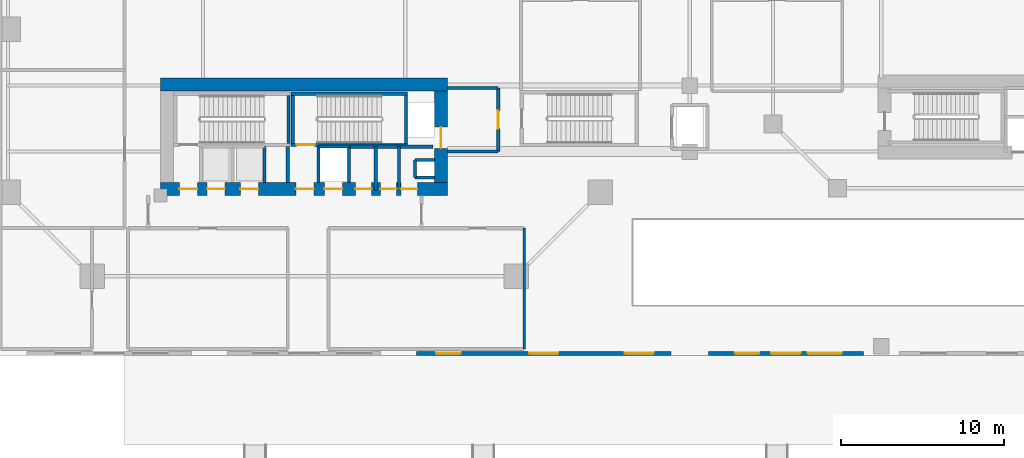
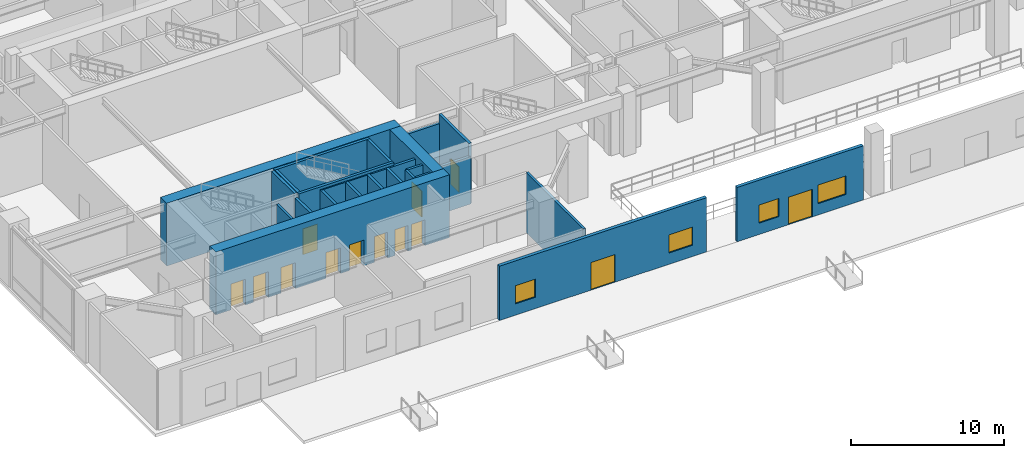
# One storey, part 8 of 18: 25 walls, 13 doors, 4 windows, 17 openings.
"""IFC4 building model written with IfcOpenShell, lengths in metres."""

from ifc_helpers import new_model, si_unit, direction, frame, frame_2d, origin, place, context, subcontext, project, spatial, rectangle, extrude, source, transform, mapped, material, layer, layer_set, type_object, element, fill, save


model = new_model("IFC4")

# Units and contexts
model_context = context("Model", 3, precision=1e-05, world=origin(), true_north=direction((0.0, 1.0)))
body_context = subcontext(model_context, "Body", "Model", "MODEL_VIEW")
ifc_project = project(units=[si_unit("LENGTHUNIT", "METRE"), si_unit("AREAUNIT", "SQUARE_METRE"), si_unit("VOLUMEUNIT", "CUBIC_METRE"), si_unit("PLANEANGLEUNIT", "RADIAN"), si_unit("MASSUNIT", "GRAM", prefix="KILO"), si_unit("THERMODYNAMICTEMPERATUREUNIT", "KELVIN"), si_unit("POWERUNIT", "WATT")], contexts=[model_context])

# Site, building, storey
site_placement = place(None, origin())
site = spatial("IfcSite", under=ifc_project, at=site_placement, CompositionType="ELEMENT")
building_placement = place(site_placement, origin())
building = spatial("IfcBuilding", under=site, at=building_placement, Name="Qiaomeng Ring Towers", CompositionType="ELEMENT")
storey_placement = place(building_placement, origin())
storey = spatial("IfcBuildingStorey", under=building, at=storey_placement, Name="L00", CompositionType="ELEMENT", Elevation=0.0)

# Wall, openings, door, windows
ifc_material_1 = material(Name="Precast concrete C40", Category="concrete")
ifc_layer_1 = layer(ifc_material_1, 0.25, Name="Precast concrete C40")
ifc_layer_set_1 = layer_set([ifc_layer_1], Name="Precast concrete C40")
wall_type_1 = type_object("IfcWallType", Name="ARC-WL-EW1", PredefinedType="STANDARD", material=ifc_layer_set_1)
wall_1_placement = place(storey_placement, frame((25.89990234375, 0.125, 0.0), z_axis=(0.0, 0.0, 1.0), x_axis=(1.0, 0.0, 0.0)))
wall_1 = element("IfcWall", 1, at=wall_1_placement, inside=storey, type_object=wall_type_1, Name="L00 South Facade Wall S3", PredefinedType="STANDARD", context=body_context, shape_type="SweptSolid", body=[
    extrude(rectangle(XDim=15.60009765625, YDim=0.25, at=frame_2d((7.800048828125, 0.0))), origin(), (0.0, 0.0, 1.0), 4.320068359375),
])
opening_1_placement = place(wall_1_placement, frame((6.89990234375, 0.0, 0.0)))
opening_1 = element("IfcOpeningElement", 2, at=opening_1_placement, cuts=wall_1, Name="Opening ED1", PredefinedType="OPENING", context=body_context, shape_type="SweptSolid", body=[
    extrude(rectangle(XDim=1.800048828125, YDim=2.199951171875, at=frame_2d((0.89990234375, 1.10009765625))), frame((0.0, 0.135009765625, 0.0), z_axis=(0.0, -1.0, 0.0), x_axis=(1.0, 0.0, 0.0)), (0.0, 0.0, 1.0), 0.27001953125),
])
opening_2_placement = place(wall_1_placement, frame((1.199951171875, 0.0, 0.89990234375)))
opening_2 = element("IfcOpeningElement", 3, at=opening_2_placement, cuts=wall_1, Name="Opening WN2", PredefinedType="OPENING", context=body_context, shape_type="SweptSolid", body=[
    extrude(rectangle(XDim=1.5, YDim=1.449951171875, at=frame_2d((0.75, 0.72509765625))), frame((0.0, 0.135009765625, 0.0), z_axis=(0.0, -1.0, 0.0), x_axis=(1.0, 0.0, 0.0)), (0.0, 0.0, 1.0), 0.27001953125),
])
opening_3_placement = place(wall_1_placement, frame((12.75, 0.0, 0.89990234375)))
opening_3 = element("IfcOpeningElement", 4, at=opening_3_placement, cuts=wall_1, Name="Opening WN1", PredefinedType="OPENING", context=body_context, shape_type="SweptSolid", body=[
    extrude(rectangle(XDim=1.800048828125, YDim=1.449951171875, at=frame_2d((0.89990234375, 0.72509765625))), frame((0.0, 0.135009765625, 0.0), z_axis=(0.0, -1.0, 0.0), x_axis=(1.0, 0.0, 0.0)), (0.0, 0.0, 1.0), 0.27001953125),
])
ifc_material_2 = material(Name="Fluorocarbon dark-grey aluminium", Category="aluminium")
door_type_1 = type_object("IfcDoorType", Name="ARC-DR-ED1", OperationType="NOTDEFINED", PredefinedType="DOOR", material=ifc_material_2)
shared_shape_1 = source(origin(), body_context, "Body", "SweptSolid", [
    extrude(rectangle(XDim=1.800048828125, YDim=2.199951171875, at=frame_2d((0.89990234375, 1.10009765625))), frame((0.0, 0.02490234375, 0.0), z_axis=(0.0, -1.0, 0.0), x_axis=(1.0, 0.0, 0.0)), (0.0, 0.0, 1.0), 0.050048828125),
])
door_1_placement = place(opening_1_placement, frame((1.800048828125, 0.0, 0.0), z_axis=(0.0, 0.0, 1.0), x_axis=(-1.0, 0.0, 0.0)))
door_1 = element("IfcDoor", 5, at=door_1_placement, inside=storey, type_object=door_type_1, Name="Ground Final Exit Double Door ED03", OperationType="DOUBLE_DOOR_SINGLE_SWING", OverallHeight=2.199951171875, OverallWidth=1.800048828125, PredefinedType="DOOR", context=body_context, shape_type="MappedRepresentation", body=[
    mapped(shared_shape_1, transform((0.0, 0.0, 0.0), x_axis=(1.0, 0.0, 0.0), y_axis=(0.0, 1.0, 0.0), z_axis=(0.0, 0.0, 1.0), scale=1.0)),
])
fill(opening_1, door_1)
ifc_material_3 = material(Name="Low-E dark-grey laminated double glazing", Category="glass")
window_type_1 = type_object("IfcWindowType", Name="ARC-WN-2", PartitioningType="DOUBLE_PANEL_VERTICAL", PredefinedType="WINDOW", material=ifc_material_3)
shared_shape_2 = source(origin(), body_context, "Body", "SweptSolid", [
    extrude(rectangle(XDim=1.5, YDim=1.449951171875, at=frame_2d((0.75, 0.72509765625))), frame((0.0, 0.030029296875, 0.0), z_axis=(0.0, -1.0, 0.0), x_axis=(1.0, 0.0, 0.0)), (0.0, 0.0, 1.0), 0.06005859375),
])
window_1_placement = place(opening_2_placement, origin())
window_1 = element("IfcWindow", 6, at=window_1_placement, inside=storey, type_object=window_type_1, Name="L00 Exterior Window WN2", OverallHeight=1.449951171875, OverallWidth=1.5, PartitioningType="DOUBLE_PANEL_VERTICAL", PredefinedType="WINDOW", context=body_context, shape_type="MappedRepresentation", body=[
    mapped(shared_shape_2, transform((0.0, 0.0, 0.0), x_axis=(1.0, 0.0, 0.0), y_axis=(0.0, 1.0, 0.0), z_axis=(0.0, 0.0, 1.0), scale=1.0)),
])
fill(opening_2, window_1)
window_type_2 = type_object("IfcWindowType", Name="ARC-WN-1", PartitioningType="DOUBLE_PANEL_VERTICAL", PredefinedType="WINDOW", material=ifc_material_3)
shared_shape_3 = source(origin(), body_context, "Body", "SweptSolid", [
    extrude(rectangle(XDim=1.800048828125, YDim=1.449951171875, at=frame_2d((0.89990234375, 0.72509765625))), frame((0.0, 0.030029296875, 0.0), z_axis=(0.0, -1.0, 0.0), x_axis=(1.0, 0.0, 0.0)), (0.0, 0.0, 1.0), 0.06005859375),
])
window_2_placement = place(opening_3_placement, origin())
window_2 = element("IfcWindow", 7, at=window_2_placement, inside=storey, type_object=window_type_2, Name="L00 Exterior Window WN1", OverallHeight=1.449951171875, OverallWidth=1.800048828125, PartitioningType="DOUBLE_PANEL_VERTICAL", PredefinedType="WINDOW", context=body_context, shape_type="MappedRepresentation", body=[
    mapped(shared_shape_3, transform((0.0, 0.0, 0.0), x_axis=(1.0, 0.0, 0.0), y_axis=(0.0, 1.0, 0.0), z_axis=(0.0, 0.0, 1.0), scale=1.0)),
])
fill(opening_3, window_2)

wall_2_placement = place(storey_placement, frame((43.800048828125, 0.125, 0.0), z_axis=(0.0, 0.0, 1.0), x_axis=(1.0, 0.0, 0.0)))
wall_2 = element("IfcWall", 8, at=wall_2_placement, inside=storey, type_object=wall_type_1, Name="L00 South Facade Wall S4", PredefinedType="STANDARD", context=body_context, shape_type="SweptSolid", body=[
    extrude(rectangle(XDim=9.5, YDim=0.25, at=frame_2d((4.75, 0.0))), origin(), (0.0, 0.0, 1.0), 4.320068359375),
])
opening_4_placement = place(wall_2_placement, frame((3.85009765625, 0.0, 0.0)))
opening_4 = element("IfcOpeningElement", 9, at=opening_4_placement, cuts=wall_2, Name="Opening ED1", PredefinedType="OPENING", context=body_context, shape_type="SweptSolid", body=[
    extrude(rectangle(XDim=1.800048828125, YDim=2.199951171875, at=frame_2d((0.89990234375, 1.10009765625))), frame((0.0, 0.135009765625, 0.0), z_axis=(0.0, -1.0, 0.0), x_axis=(1.0, 0.0, 0.0)), (0.0, 0.0, 1.0), 0.27001953125),
])
opening_5_placement = place(wall_2_placement, frame((1.625, 0.0, 0.89990234375)))
opening_5 = element("IfcOpeningElement", 10, at=opening_5_placement, cuts=wall_2, Name="Opening WN2", PredefinedType="OPENING", context=body_context, shape_type="SweptSolid", body=[
    extrude(rectangle(XDim=1.5, YDim=1.449951171875, at=frame_2d((0.75, 0.72509765625))), frame((0.0, 0.135009765625, 0.0), z_axis=(0.0, -1.0, 0.0), x_axis=(1.0, 0.0, 0.0)), (0.0, 0.0, 1.0), 0.27001953125),
])
opening_6_placement = place(wall_2_placement, frame((6.074951171875, 0.0, 0.89990234375)))
opening_6 = element("IfcOpeningElement", 11, at=opening_6_placement, cuts=wall_2, Name="Opening WN4", PredefinedType="OPENING", context=body_context, shape_type="SweptSolid", body=[
    extrude(rectangle(XDim=2.10009765625, YDim=1.47998046875, at=frame_2d((1.050048828125, 0.739990234375))), frame((0.0, 0.135009765625, 0.0), z_axis=(0.0, -1.0, 0.0), x_axis=(1.0, 0.0, 0.0)), (0.0, 0.0, 1.0), 0.27001953125),
])
door_2_placement = place(opening_4_placement, frame((1.800048828125, 0.0, 0.0), z_axis=(0.0, 0.0, 1.0), x_axis=(-1.0, 0.0, 0.0)))
door_2 = element("IfcDoor", 12, at=door_2_placement, inside=storey, type_object=door_type_1, Name="Ground Final Exit Double Door ED04", OperationType="DOUBLE_DOOR_SINGLE_SWING", OverallHeight=2.199951171875, OverallWidth=1.800048828125, PredefinedType="DOOR", context=body_context, shape_type="MappedRepresentation", body=[
    mapped(shared_shape_1, transform((0.0, 0.0, 0.0), x_axis=(1.0, 0.0, 0.0), y_axis=(0.0, 1.0, 0.0), z_axis=(0.0, 0.0, 1.0), scale=1.0)),
])
fill(opening_4, door_2)
window_3_placement = place(opening_5_placement, origin())
window_3 = element("IfcWindow", 13, at=window_3_placement, inside=storey, type_object=window_type_1, Name="L00 Exterior Window WN2", OverallHeight=1.449951171875, OverallWidth=1.5, PartitioningType="DOUBLE_PANEL_VERTICAL", PredefinedType="WINDOW", context=body_context, shape_type="MappedRepresentation", body=[
    mapped(shared_shape_2, transform((0.0, 0.0, 0.0), x_axis=(1.0, 0.0, 0.0), y_axis=(0.0, 1.0, 0.0), z_axis=(0.0, 0.0, 1.0), scale=1.0)),
])
fill(opening_5, window_3)
window_type_3 = type_object("IfcWindowType", Name="ARC-WN-4", PartitioningType="TRIPLE_PANEL_VERTICAL", PredefinedType="WINDOW", material=ifc_material_3)
shared_shape_4 = source(origin(), body_context, "Body", "SweptSolid", [
    extrude(rectangle(XDim=2.10009765625, YDim=1.47998046875, at=frame_2d((1.050048828125, 0.739990234375))), frame((0.0, 0.030029296875, 0.0), z_axis=(0.0, -1.0, 0.0), x_axis=(1.0, 0.0, 0.0)), (0.0, 0.0, 1.0), 0.06005859375),
])
window_4_placement = place(opening_6_placement, origin())
window_4 = element("IfcWindow", 14, at=window_4_placement, inside=storey, type_object=window_type_3, Name="L00 Exterior Window WN4", OverallHeight=1.47998046875, OverallWidth=2.10009765625, PartitioningType="TRIPLE_PANEL_VERTICAL", PredefinedType="WINDOW", context=body_context, shape_type="MappedRepresentation", body=[
    mapped(shared_shape_4, transform((0.0, 0.0, 0.0), x_axis=(1.0, 0.0, 0.0), y_axis=(0.0, 1.0, 0.0), z_axis=(0.0, 0.0, 1.0), scale=1.0)),
])
fill(opening_6, window_4)

# Walls
ifc_material_4 = material(Name="Autoclaved aerated concrete block", Category="concrete")
ifc_layer_2 = layer(ifc_material_4, 0.199951171875, Name="Autoclaved aerated concrete block")
ifc_layer_set_2 = layer_set([ifc_layer_2], Name="Autoclaved aerated concrete block")
wall_type_2 = type_object("IfcWallType", Name="ARC-WL-PW1", PredefinedType="PARTITIONING", material=ifc_layer_set_2)
wall_3_placement = place(storey_placement, frame((27.800048828125, 16.39990234375, 0.0), z_axis=(0.0, 0.0, 1.0), x_axis=(1.0, 0.0, 0.0)))
element("IfcWall", 15, at=wall_3_placement, inside=storey, type_object=wall_type_2, Name="L00 Interior Wall PW1", PredefinedType="PARTITIONING", context=body_context, shape_type="SweptSolid", body=[
    extrude(rectangle(XDim=3.099853515625, YDim=0.199951171875, at=frame_2d((1.5498046875, 0.0))), origin(), (0.0, 0.0, 1.0), 4.074951171875),
])
wall_4_placement = place(storey_placement, frame((27.800048828125, 12.5, 0.0), z_axis=(0.0, 0.0, 1.0), x_axis=(1.0, 0.0, 0.0)))
element("IfcWall", 16, at=wall_4_placement, inside=storey, type_object=wall_type_2, Name="L00 Interior Wall PW1", PredefinedType="PARTITIONING", context=body_context, shape_type="SweptSolid", body=[
    extrude(rectangle(XDim=3.099853515625, YDim=0.199951171875, at=frame_2d((1.5498046875, 0.0))), origin(), (0.0, 0.0, 1.0), 3.77490234375),
])

# Wall, opening, door
wall_5_placement = place(storey_placement, frame((30.89990234375, 12.5, 0.0), z_axis=(0.0, 0.0, 1.0), x_axis=(0.0, 1.0, 0.0)))
wall_5 = element("IfcWall", 17, at=wall_5_placement, inside=storey, type_object=wall_type_2, Name="L00 Interior Wall PW1", PredefinedType="PARTITIONING", context=body_context, shape_type="SweptSolid", body=[
    extrude(rectangle(XDim=3.89990234375, YDim=0.199951171875, at=frame_2d((1.949951171875, 0.0))), origin(), (0.0, 0.0, 1.0), 4.780029296875),
])
opening_7_placement = place(wall_5_placement, frame((1.39990234375, 0.0, 0.0)))
opening_7 = element("IfcOpeningElement", 18, at=opening_7_placement, cuts=wall_5, Name="Opening FD3", PredefinedType="OPENING", context=body_context, shape_type="SweptSolid", body=[
    extrude(rectangle(XDim=1.10009765625, YDim=2.050048828125, at=frame_2d((0.550048828125, 1.02490234375))), frame((0.0, 0.10986328125, 0.0), z_axis=(0.0, -1.0, 0.0), x_axis=(1.0, 0.0, 0.0)), (0.0, 0.0, 1.0), 0.219970703125),
])
ifc_material_5 = material(Name="Galvanised steel", Category="steel")
door_type_2 = type_object("IfcDoorType", Name="ARC-DR-FD3", OperationType="NOTDEFINED", PredefinedType="DOOR", material=ifc_material_5)
shared_shape_5 = source(origin(), body_context, "Body", "SweptSolid", [
    extrude(rectangle(XDim=1.10009765625, YDim=2.050048828125, at=frame_2d((0.550048828125, 1.02490234375))), frame((0.0, 0.02490234375, 0.0), z_axis=(0.0, -1.0, 0.0), x_axis=(1.0, 0.0, 0.0)), (0.0, 0.0, 1.0), 0.050048828125),
])
door_3_placement = place(opening_7_placement, origin())
door_3 = element("IfcDoor", 19, at=door_3_placement, inside=storey, type_object=door_type_2, Name="L00 South FF Lobby Door", OperationType="SINGLE_SWING_RIGHT", OverallHeight=2.050048828125, OverallWidth=1.10009765625, PredefinedType="DOOR", context=body_context, shape_type="MappedRepresentation", body=[
    mapped(shared_shape_5, transform((0.0, 0.0, 0.0), x_axis=(1.0, 0.0, 0.0), y_axis=(0.0, 1.0, 0.0), z_axis=(0.0, 0.0, 1.0), scale=1.0)),
])
fill(opening_7, door_3)

# Walls
for number, where, z_axis, x_axis, name in (
    (20, (18.0, 10.60009765625, 0.0), (0.0, 0.0, 1.0), (0.0, 1.0, 0.0), "L00 Interior Wall PW1"),
    (21, (19.8798828125, 10.60009765625, 0.0), (0.0, 0.0, 1.0), (0.0, 1.0, 0.0), "L00 Interior Wall PW1"),
):
    element("IfcWall", number, at=place(storey_placement, frame(where, z_axis=z_axis, x_axis=x_axis)), inside=storey, type_object=wall_type_2, Name=name, PredefinedType="PARTITIONING", context=body_context, shape_type="SweptSolid", body=[
        extrude(rectangle(XDim=2.2099609375, YDim=0.199951171875, at=frame_2d((1.10498046875, 0.0))), origin(), (0.0, 0.0, 1.0), 4.780029296875),
    ])
wall_6_placement = place(storey_placement, frame((24.820068359375, 10.14990234375, 0.0), z_axis=(0.0, 0.0, 1.0), x_axis=(0.0, 1.0, 0.0)))
element("IfcWall", 22, at=wall_6_placement, inside=storey, type_object=wall_type_2, Name="L00 Interior Wall PW1", PredefinedType="PARTITIONING", context=body_context, shape_type="SweptSolid", body=[
    extrude(rectangle(XDim=2.650146484375, YDim=0.199951171875, at=frame_2d((1.3251953125, 0.0))), origin(), (0.0, 0.0, 1.0), 4.780029296875),
])
wall_7_placement = place(storey_placement, frame((21.75, 10.60009765625, 0.0), z_axis=(0.0, 0.0, 1.0), x_axis=(0.0, 1.0, 0.0)))
element("IfcWall", 23, at=wall_7_placement, inside=storey, type_object=wall_type_2, Name="L00 Interior Wall PW1", PredefinedType="PARTITIONING", context=body_context, shape_type="SweptSolid", body=[
    extrude(rectangle(XDim=2.199951171875, YDim=0.199951171875, at=frame_2d((1.10009765625, 0.0))), origin(), (0.0, 0.0, 1.0), 4.780029296875),
])
wall_8_placement = place(storey_placement, frame((23.389892578125, 10.14990234375, 0.0), z_axis=(0.0, 0.0, 1.0), x_axis=(0.0, 1.0, 0.0)))
element("IfcWall", 24, at=wall_8_placement, inside=storey, type_object=wall_type_2, Name="L00 Interior Wall PW1", PredefinedType="PARTITIONING", context=body_context, shape_type="SweptSolid", body=[
    extrude(rectangle(XDim=2.650146484375, YDim=0.199951171875, at=frame_2d((1.3251953125, 0.0))), origin(), (0.0, 0.0, 1.0), 4.780029296875),
])
wall_9_placement = place(storey_placement, frame((21.75, 12.800048828125, 0.0), z_axis=(0.0, 0.0, 1.0), x_axis=(1.0, 0.0, 0.0)))
element("IfcWall", 25, at=wall_9_placement, inside=storey, type_object=wall_type_2, Name="L00 Interior Wall PW1", PredefinedType="PARTITIONING", context=body_context, shape_type="SweptSolid", body=[
    extrude(rectangle(XDim=5.169921875, YDim=0.199951171875, at=frame_2d((2.5849609375, 0.0))), origin(), (0.0, 0.0, 1.0), 4.780029296875),
])
ifc_layer_3 = layer(ifc_material_4, 0.179931640625, Name="Autoclaved aerated concrete block")
ifc_layer_set_3 = layer_set([ifc_layer_3], Name="Autoclaved aerated concrete block")
wall_type_3 = type_object("IfcWallType", Name="ARC-WL-PW2", PredefinedType="PARTITIONING", material=ifc_layer_set_3)
wall_10_placement = place(storey_placement, frame((32.5, 0.39990234375, 0.0), z_axis=(0.0, 0.0, 1.0), x_axis=(0.0, 1.0, 0.0)))
element("IfcWall", 26, at=wall_10_placement, inside=storey, type_object=wall_type_3, Name="L00 Interior Wall PW2", PredefinedType="PARTITIONING", context=body_context, shape_type="SweptSolid", body=[
    extrude(rectangle(XDim=7.400146484375, YDim=0.179931640625, at=frame_2d((3.7001953125, 0.0))), origin(), (0.0, 0.0, 1.0), 4.780029296875),
])
ifc_material_6 = material(Name="Concrete C40", Category="concrete")
ifc_layer_4 = layer(ifc_material_6, 0.199951171875, Name="Concrete C40")
ifc_layer_set_4 = layer_set([ifc_layer_4], Name="Concrete C40")
wall_type_4 = type_object("IfcWallType", Name="STR-WL-STSHAFT", PredefinedType="SHEAR", material=ifc_layer_set_4)
wall_11_placement = place(storey_placement, frame((25.800048828125, 10.919921875, 0.0), z_axis=(0.0, 0.0, 1.0), x_axis=(0.0, 1.0, 0.0)))
element("IfcWall", 27, at=wall_11_placement, inside=storey, type_object=wall_type_4, Name="L00 Riser RSR1 West Shaft Wall S", PredefinedType="SHEAR", context=body_context, shape_type="SweptSolid", body=[
    extrude(rectangle(XDim=1.06005859375, YDim=0.179931640625, at=frame_2d((0.530029296875, 0.0))), origin(), (0.0, 0.0, 1.0), 4.780029296875),
])
for number, where, z_axis, x_axis, name in (
    (28, (25.800048828125, 11.97998046875, 0.0), (0.0, 0.0, 1.0), (1.0, 0.0, 0.0), "L00 Riser RSR1 North Shaft Wall S"),
    (29, (25.800048828125, 10.919921875, 0.0), (0.0, 0.0, 1.0), (1.0, 0.0, 0.0), "L00 Riser RSR1 South Shaft Wall S"),
):
    element("IfcWall", number, at=place(storey_placement, frame(where, z_axis=z_axis, x_axis=x_axis)), inside=storey, type_object=wall_type_4, Name=name, PredefinedType="SHEAR", context=body_context, shape_type="SweptSolid", body=[
        extrude(rectangle(XDim=1.199951171875, YDim=0.179931640625, at=frame_2d((0.60009765625, 0.0))), origin(), (0.0, 0.0, 1.0), 4.780029296875),
    ])
wall_12_placement = place(storey_placement, frame((16.580078125, 10.60009765625, 0.0), z_axis=(0.0, 0.0, 1.0), x_axis=(0.0, 1.0, 0.0)))
element("IfcWall", 30, at=wall_12_placement, inside=storey, type_object=wall_type_4, Name="L00 Lift LP4 East Shaft Wall", PredefinedType="SHEAR", context=body_context, shape_type="SweptSolid", body=[
    extrude(rectangle(XDim=2.199951171875, YDim=0.179931640625, at=frame_2d((1.10009765625, 0.0))), origin(), (0.0, 0.0, 1.0), 4.780029296875),
])
wall_13_placement = place(storey_placement, frame((19.8798828125, 12.800048828125, 0.0), z_axis=(0.0, 0.0, 1.0), x_axis=(1.0, 0.0, 0.0)))
element("IfcWall", 31, at=wall_13_placement, inside=storey, type_object=wall_type_4, Name="L00 Lift LP2 Shaft Back Wall", PredefinedType="SHEAR", context=body_context, shape_type="SweptSolid", body=[
    extrude(rectangle(XDim=1.8701171875, YDim=0.179931640625, at=frame_2d((0.93505859375, 0.0))), origin(), (0.0, 0.0, 1.0), 4.780029296875),
])
wall_14_placement = place(storey_placement, frame((18.050048828125, 13.010009765625, 0.0), z_axis=(0.0, 0.0, 1.0), x_axis=(0.0, 1.0, 0.0)))
element("IfcWall", 32, at=wall_14_placement, inside=storey, type_object=wall_type_4, Name="L00 Stair ST3 East Shaft Shear Wall", PredefinedType="SHEAR", context=body_context, shape_type="SweptSolid", body=[
    extrude(rectangle(XDim=2.93994140625, YDim=0.199951171875, at=frame_2d((1.469970703125, 0.0))), origin(), (0.0, 0.0, 1.0), 5.0),
])

# Wall, opening, door
wall_15_placement = place(storey_placement, frame((18.199951171875, 12.909912109375, 0.0), z_axis=(0.0, 0.0, 1.0), x_axis=(1.0, 0.0, 0.0)))
wall_15 = element("IfcWall", 33, at=wall_15_placement, inside=storey, type_object=wall_type_4, Name="L00 Stair ST4 South Shaft Shear Wall", PredefinedType="SHEAR", context=body_context, shape_type="SweptSolid", body=[
    extrude(rectangle(XDim=7.150146484375, YDim=0.199951171875, at=frame_2d((3.5751953125, 0.0))), origin(), (0.0, 0.0, 1.0), 5.0),
])
opening_8_placement = place(wall_15_placement, frame((0.35009765625, 0.0, 0.0)))
opening_8 = element("IfcOpeningElement", 34, at=opening_8_placement, cuts=wall_15, Name="Opening FD3", PredefinedType="OPENING", context=body_context, shape_type="SweptSolid", body=[
    extrude(rectangle(XDim=1.10009765625, YDim=2.050048828125, at=frame_2d((0.550048828125, 1.02490234375))), frame((0.0, 0.10986328125, 0.0), z_axis=(0.0, -1.0, 0.0), x_axis=(1.0, 0.0, 0.0)), (0.0, 0.0, 1.0), 0.219970703125),
])
door_4_placement = place(opening_8_placement, frame((1.10009765625, 0.0, 0.0), z_axis=(0.0, 0.0, 1.0), x_axis=(-1.0, 0.0, 0.0)))
door_4 = element("IfcDoor", 35, at=door_4_placement, inside=storey, type_object=door_type_2, Name="L00 Stair ST4 Exit Door", OperationType="SINGLE_SWING_RIGHT", OverallHeight=2.050048828125, OverallWidth=1.10009765625, PredefinedType="DOOR", context=body_context, shape_type="MappedRepresentation", body=[
    mapped(shared_shape_5, transform((0.0, 0.0, 0.0), x_axis=(1.0, 0.0, 0.0), y_axis=(0.0, 1.0, 0.0), z_axis=(0.0, 0.0, 1.0), scale=1.0)),
])
fill(opening_8, door_4)

# Walls
wall_16_placement = place(storey_placement, frame((18.199951171875, 16.050048828125, 0.0), z_axis=(0.0, 0.0, 1.0), x_axis=(1.0, 0.0, 0.0)))
element("IfcWall", 36, at=wall_16_placement, inside=storey, type_object=wall_type_4, Name="L00 Stair ST4 North Shaft Shear Wall", PredefinedType="SHEAR", context=body_context, shape_type="SweptSolid", body=[
    extrude(rectangle(XDim=7.150146484375, YDim=0.199951171875, at=frame_2d((3.5751953125, 0.0))), origin(), (0.0, 0.0, 1.0), 5.0),
])
for number, where, z_axis, x_axis, name in (
    (37, (18.300048828125, 13.010009765625, 0.0), (0.0, 0.0, 1.0), (0.0, 1.0, 0.0), "L00 Stair ST4 West Shaft Shear Wall"),
    (38, (25.25, 13.010009765625, 0.0), (0.0, 0.0, 1.0), (0.0, 1.0, 0.0), "L00 Stair ST4 East Shaft Shear Wall"),
):
    element("IfcWall", number, at=place(storey_placement, frame(where, z_axis=z_axis, x_axis=x_axis)), inside=storey, type_object=wall_type_4, Name=name, PredefinedType="SHEAR", context=body_context, shape_type="SweptSolid", body=[
        extrude(rectangle(XDim=2.93994140625, YDim=0.199951171875, at=frame_2d((1.469970703125, 0.0))), origin(), (0.0, 0.0, 1.0), 5.0),
    ])

# Wall, openings, doors
ifc_material_7 = material(Name="Concrete C60", Category="concrete")
ifc_layer_5 = layer(ifc_material_7, 0.800048828125, Name="Concrete C60")
ifc_layer_set_5 = layer_set([ifc_layer_5], Name="Concrete C60")
wall_type_5 = type_object("IfcWallType", Name="STR-WL-SW1", PredefinedType="SHEAR", material=ifc_layer_set_5)
wall_17_placement = place(storey_placement, frame((10.199951171875, 10.199951171875, 0.0), z_axis=(0.0, 0.0, 1.0), x_axis=(1.0, 0.0, 0.0)))
wall_17 = element("IfcWall", 39, at=wall_17_placement, inside=storey, type_object=wall_type_5, Name="L00 T1SC south core shear wall", PredefinedType="SHEAR", context=body_context, shape_type="SweptSolid", body=[
    extrude(rectangle(XDim=17.60009765625, YDim=0.800048828125, at=frame_2d((8.800048828125, 0.0))), origin(), (0.0, 0.0, 1.0), 5.0),
])
opening_9_placement = place(wall_17_placement, frame((1.14990234375, 0.0, 0.0)))
opening_9 = element("IfcOpeningElement", 40, at=opening_9_placement, cuts=wall_17, Name="Opening FD3", PredefinedType="OPENING", context=body_context, shape_type="SweptSolid", body=[
    extrude(rectangle(XDim=1.10009765625, YDim=2.050048828125, at=frame_2d((0.550048828125, 1.02490234375))), frame((0.0, 0.409912109375, 0.0), z_axis=(0.0, -1.0, 0.0), x_axis=(1.0, 0.0, 0.0)), (0.0, 0.0, 1.0), 0.820068359375),
])
opening_10_placement = place(wall_17_placement, frame((8.300048828125, 0.0, 0.0)))
opening_10 = element("IfcOpeningElement", 41, at=opening_10_placement, cuts=wall_17, Name="Opening FD3", PredefinedType="OPENING", context=body_context, shape_type="SweptSolid", body=[
    extrude(rectangle(XDim=1.10009765625, YDim=2.050048828125, at=frame_2d((0.550048828125, 1.02490234375))), frame((0.0, 0.409912109375, 0.0), z_axis=(0.0, -1.0, 0.0), x_axis=(1.0, 0.0, 0.0)), (0.0, 0.0, 1.0), 0.820068359375),
])
opening_11_placement = place(wall_17_placement, frame((10.050048828125, 0.0, 0.0)))
opening_11 = element("IfcOpeningElement", 42, at=opening_11_placement, cuts=wall_17, Name="Opening LD1", PredefinedType="OPENING", context=body_context, shape_type="SweptSolid", body=[
    extrude(rectangle(XDim=1.10009765625, YDim=2.050048828125, at=frame_2d((0.550048828125, 1.02490234375))), frame((0.0, 0.409912109375, 0.0), z_axis=(0.0, -1.0, 0.0), x_axis=(1.0, 0.0, 0.0)), (0.0, 0.0, 1.0), 0.820068359375),
])
opening_12_placement = place(wall_17_placement, frame((4.89990234375, 0.0, 0.0)))
opening_12 = element("IfcOpeningElement", 43, at=opening_12_placement, cuts=wall_17, Name="Opening LD1", PredefinedType="OPENING", context=body_context, shape_type="SweptSolid", body=[
    extrude(rectangle(XDim=1.10009765625, YDim=2.050048828125, at=frame_2d((0.550048828125, 1.02490234375))), frame((0.0, 0.409912109375, 0.0), z_axis=(0.0, -1.0, 0.0), x_axis=(1.0, 0.0, 0.0)), (0.0, 0.0, 1.0), 0.820068359375),
])
opening_13_placement = place(wall_17_placement, frame((2.85009765625, 0.0, 0.0)))
opening_13 = element("IfcOpeningElement", 44, at=opening_13_placement, cuts=wall_17, Name="Opening LD1", PredefinedType="OPENING", context=body_context, shape_type="SweptSolid", body=[
    extrude(rectangle(XDim=1.10009765625, YDim=2.050048828125, at=frame_2d((0.550048828125, 1.02490234375))), frame((0.0, 0.409912109375, 0.0), z_axis=(0.0, -1.0, 0.0), x_axis=(1.0, 0.0, 0.0)), (0.0, 0.0, 1.0), 0.820068359375),
])
opening_14_placement = place(wall_17_placement, frame((14.739990234375, 0.0, 0.0)))
opening_14 = element("IfcOpeningElement", 45, at=opening_14_placement, cuts=wall_17, Name="Opening FD1", PredefinedType="OPENING", context=body_context, shape_type="SweptSolid", body=[
    extrude(rectangle(XDim=1.0, YDim=2.050048828125, at=frame_2d((0.5, 1.02490234375))), frame((0.0, 0.409912109375, 0.0), z_axis=(0.0, -1.0, 0.0), x_axis=(1.0, 0.0, 0.0)), (0.0, 0.0, 1.0), 0.820068359375),
])
opening_15_placement = place(wall_17_placement, frame((11.945068359375, 0.0, 0.0)))
opening_15 = element("IfcOpeningElement", 46, at=opening_15_placement, cuts=wall_17, Name="Opening FD1", PredefinedType="OPENING", context=body_context, shape_type="SweptSolid", body=[
    extrude(rectangle(XDim=1.0, YDim=2.050048828125, at=frame_2d((0.5, 1.02490234375))), frame((0.0, 0.409912109375, 0.0), z_axis=(0.0, -1.0, 0.0), x_axis=(1.0, 0.0, 0.0)), (0.0, 0.0, 1.0), 0.820068359375),
])
opening_16_placement = place(wall_17_placement, frame((13.47998046875, 0.0, 0.0)))
opening_16 = element("IfcOpeningElement", 47, at=opening_16_placement, cuts=wall_17, Name="Opening FD1", PredefinedType="OPENING", context=body_context, shape_type="SweptSolid", body=[
    extrude(rectangle(XDim=1.0, YDim=2.050048828125, at=frame_2d((0.5, 1.02490234375))), frame((0.0, 0.409912109375, 0.0), z_axis=(0.0, -1.0, 0.0), x_axis=(1.0, 0.0, 0.0)), (0.0, 0.0, 1.0), 0.820068359375),
])
door_5_placement = place(opening_9_placement, origin())
door_5 = element("IfcDoor", 48, at=door_5_placement, inside=storey, type_object=door_type_2, Name="L00 Stair ST3 Lobby Door", OperationType="SINGLE_SWING_LEFT", OverallHeight=2.050048828125, OverallWidth=1.10009765625, PredefinedType="DOOR", context=body_context, shape_type="MappedRepresentation", body=[
    mapped(shared_shape_5, transform((0.0, 0.0, 0.0), x_axis=(1.0, 0.0, 0.0), y_axis=(0.0, 1.0, 0.0), z_axis=(0.0, 0.0, 1.0), scale=1.0)),
])
fill(opening_9, door_5)
door_6_placement = place(opening_10_placement, origin())
door_6 = element("IfcDoor", 49, at=door_6_placement, inside=storey, type_object=door_type_2, Name="L00 Stair ST4 Lobby Door", OperationType="SINGLE_SWING_LEFT", OverallHeight=2.050048828125, OverallWidth=1.10009765625, PredefinedType="DOOR", context=body_context, shape_type="MappedRepresentation", body=[
    mapped(shared_shape_5, transform((0.0, 0.0, 0.0), x_axis=(1.0, 0.0, 0.0), y_axis=(0.0, 1.0, 0.0), z_axis=(0.0, 0.0, 1.0), scale=1.0)),
])
fill(opening_10, door_6)
ifc_material_8 = material(Name="Stainless steel 316", Category="steel")
door_type_3 = type_object("IfcDoorType", Name="ARC-DR-LD1", OperationType="NOTDEFINED", PredefinedType="DOOR", material=ifc_material_8)
door_7_placement = place(opening_11_placement, origin())
door_7 = element("IfcDoor", 50, at=door_7_placement, inside=storey, type_object=door_type_3, Name="L00 Low-Zone Lift LP2 Landing Door", OperationType="SLIDING_TO_RIGHT", OverallHeight=2.050048828125, OverallWidth=1.10009765625, PredefinedType="DOOR", context=body_context, shape_type="MappedRepresentation", body=[
    mapped(shared_shape_5, transform((0.0, 0.0, 0.0), x_axis=(1.0, 0.0, 0.0), y_axis=(0.0, 1.0, 0.0), z_axis=(0.0, 0.0, 1.0), scale=1.0)),
])
fill(opening_11, door_7)
door_8_placement = place(opening_12_placement, origin())
door_8 = element("IfcDoor", 51, at=door_8_placement, inside=storey, type_object=door_type_3, Name="L00 Mid-Zone Lift LP4 Landing Door", OperationType="SLIDING_TO_RIGHT", OverallHeight=2.050048828125, OverallWidth=1.10009765625, PredefinedType="DOOR", context=body_context, shape_type="MappedRepresentation", body=[
    mapped(shared_shape_5, transform((0.0, 0.0, 0.0), x_axis=(1.0, 0.0, 0.0), y_axis=(0.0, 1.0, 0.0), z_axis=(0.0, 0.0, 1.0), scale=1.0)),
])
fill(opening_12, door_8)
door_9_placement = place(opening_13_placement, origin())
door_9 = element("IfcDoor", 52, at=door_9_placement, inside=storey, type_object=door_type_3, Name="L00 High-Zone Lift LP6 Landing Door", OperationType="SLIDING_TO_RIGHT", OverallHeight=2.050048828125, OverallWidth=1.10009765625, PredefinedType="DOOR", context=body_context, shape_type="MappedRepresentation", body=[
    mapped(shared_shape_5, transform((0.0, 0.0, 0.0), x_axis=(1.0, 0.0, 0.0), y_axis=(0.0, 1.0, 0.0), z_axis=(0.0, 0.0, 1.0), scale=1.0)),
])
fill(opening_13, door_9)
door_type_4 = type_object("IfcDoorType", Name="ARC-DR-FD1", OperationType="NOTDEFINED", PredefinedType="DOOR", material=ifc_material_5)
shared_shape_6 = source(origin(), body_context, "Body", "SweptSolid", [
    extrude(rectangle(XDim=1.0, YDim=2.050048828125, at=frame_2d((0.5, 1.02490234375))), frame((0.0, 0.02490234375, 0.0), z_axis=(0.0, -1.0, 0.0), x_axis=(1.0, 0.0, 0.0)), (0.0, 0.0, 1.0), 0.050048828125),
])
door_10_placement = place(opening_14_placement, origin())
door_10 = element("IfcDoor", 53, at=door_10_placement, inside=storey, type_object=door_type_4, Name="L00 South Electrical Riser Door", OperationType="SINGLE_SWING_RIGHT", OverallHeight=2.050048828125, OverallWidth=1.0, PredefinedType="DOOR", context=body_context, shape_type="MappedRepresentation", body=[
    mapped(shared_shape_6, transform((0.0, 0.0, 0.0), x_axis=(1.0, 0.0, 0.0), y_axis=(0.0, 1.0, 0.0), z_axis=(0.0, 0.0, 1.0), scale=1.0)),
])
fill(opening_14, door_10)
door_11_placement = place(opening_15_placement, origin())
door_11 = element("IfcDoor", 54, at=door_11_placement, inside=storey, type_object=door_type_4, Name="L00 South Beverage Pantry Door", OperationType="SINGLE_SWING_RIGHT", OverallHeight=2.050048828125, OverallWidth=1.0, PredefinedType="DOOR", context=body_context, shape_type="MappedRepresentation", body=[
    mapped(shared_shape_6, transform((0.0, 0.0, 0.0), x_axis=(1.0, 0.0, 0.0), y_axis=(0.0, 1.0, 0.0), z_axis=(0.0, 0.0, 1.0), scale=1.0)),
])
fill(opening_15, door_11)
door_12_placement = place(opening_16_placement, origin())
door_12 = element("IfcDoor", 55, at=door_12_placement, inside=storey, type_object=door_type_4, Name="L00 South Linen Store Door", OperationType="SINGLE_SWING_LEFT", OverallHeight=2.050048828125, OverallWidth=1.0, PredefinedType="DOOR", context=body_context, shape_type="MappedRepresentation", body=[
    mapped(shared_shape_6, transform((0.0, 0.0, 0.0), x_axis=(1.0, 0.0, 0.0), y_axis=(0.0, 1.0, 0.0), z_axis=(0.0, 0.0, 1.0), scale=1.0)),
])
fill(opening_16, door_12)

# Wall
wall_18_placement = place(storey_placement, frame((10.199951171875, 16.60009765625, 0.0), z_axis=(0.0, 0.0, 1.0), x_axis=(1.0, 0.0, 0.0)))
element("IfcWall", 56, at=wall_18_placement, inside=storey, type_object=wall_type_5, Name="L00 T1SC north core shear wall", PredefinedType="SHEAR", context=body_context, shape_type="SweptSolid", body=[
    extrude(rectangle(XDim=17.60009765625, YDim=0.800048828125, at=frame_2d((8.800048828125, 0.0))), origin(), (0.0, 0.0, 1.0), 5.0),
])

# Wall, opening, door
wall_19_placement = place(storey_placement, frame((27.39990234375, 10.60009765625, 0.0), z_axis=(0.0, 0.0, 1.0), x_axis=(0.0, 1.0, 0.0)))
wall_19 = element("IfcWall", 57, at=wall_19_placement, inside=storey, type_object=wall_type_5, Name="L00 T1SC east core shear wall", PredefinedType="SHEAR", context=body_context, shape_type="SweptSolid", body=[
    extrude(rectangle(XDim=5.599853515625, YDim=0.800048828125, at=frame_2d((2.7998046875, 0.0))), origin(), (0.0, 0.0, 1.0), 5.0),
])
opening_17_placement = place(wall_19_placement, frame((2.10009765625, 0.0, 0.0)))
opening_17 = element("IfcOpeningElement", 58, at=opening_17_placement, cuts=wall_19, Name="Opening LD2", PredefinedType="OPENING", context=body_context, shape_type="SweptSolid", body=[
    extrude(rectangle(XDim=1.300048828125, YDim=2.050048828125, at=frame_2d((0.64990234375, 1.02490234375))), frame((0.0, 0.409912109375, 0.0), z_axis=(0.0, -1.0, 0.0), x_axis=(1.0, 0.0, 0.0)), (0.0, 0.0, 1.0), 0.820068359375),
])
door_type_5 = type_object("IfcDoorType", Name="ARC-DR-LD2", OperationType="NOTDEFINED", PredefinedType="DOOR", material=ifc_material_8)
shared_shape_7 = source(origin(), body_context, "Body", "SweptSolid", [
    extrude(rectangle(XDim=1.300048828125, YDim=2.050048828125, at=frame_2d((0.64990234375, 1.02490234375))), frame((0.0, 0.02490234375, 0.0), z_axis=(0.0, -1.0, 0.0), x_axis=(1.0, 0.0, 0.0)), (0.0, 0.0, 1.0), 0.050048828125),
])
door_13_placement = place(opening_17_placement, origin())
door_13 = element("IfcDoor", 59, at=door_13_placement, inside=storey, type_object=door_type_5, Name="L00 Firefighting Lift FL2 Landing Door", OperationType="SLIDING_TO_RIGHT", OverallHeight=2.050048828125, OverallWidth=1.300048828125, PredefinedType="DOOR", context=body_context, shape_type="MappedRepresentation", body=[
    mapped(shared_shape_7, transform((0.0, 0.0, 0.0), x_axis=(1.0, 0.0, 0.0), y_axis=(0.0, 1.0, 0.0), z_axis=(0.0, 0.0, 1.0), scale=1.0)),
])
fill(opening_17, door_13)

save(model, "model.ifc")
